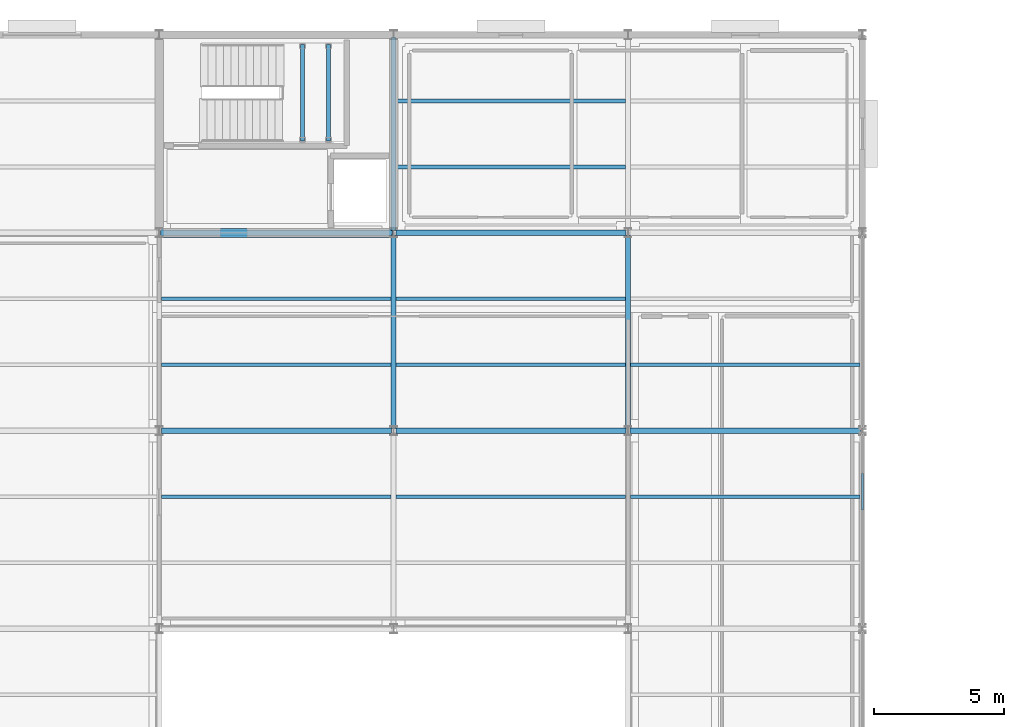
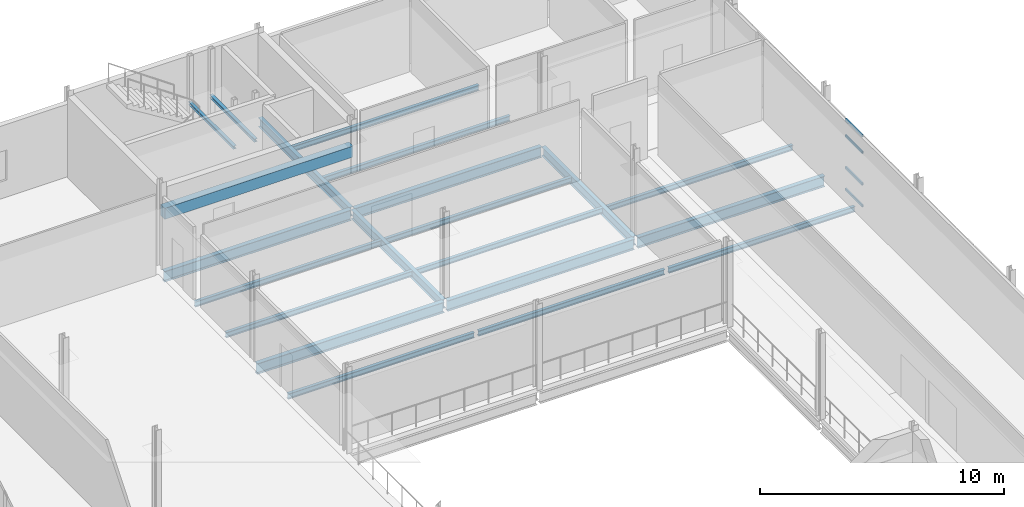
# One storey, part 124 of 174: 21 beams, 4 members, 1 element without a shape of its own.
"""IFC4 building model written with IfcOpenShell, lengths in metres."""

from ifc_helpers import new_model, si_unit, direction, frame, origin, origin_2d, place, context, subcontext, project, spatial, rectangle, hollow_rectangle, i_section, extrude, material, material_profile, profile_set, type_object, element, aggregate, save


model = new_model("IFC4")

# Units and contexts
model_context = context("Model", 3, precision=1e-05, world=origin(), true_north=direction((0.0, 1.0)))
body_context = subcontext(model_context, "Body", "Model", "MODEL_VIEW")
ifc_project = project(units=[si_unit("LENGTHUNIT", "METRE"), si_unit("AREAUNIT", "SQUARE_METRE"), si_unit("VOLUMEUNIT", "CUBIC_METRE"), si_unit("PLANEANGLEUNIT", "RADIAN"), si_unit("MASSUNIT", "GRAM", prefix="KILO")], contexts=[model_context])

# Site, building, storey
site_placement = place(None, origin())
site = spatial("IfcSite", under=ifc_project, at=site_placement, CompositionType="ELEMENT")
building_placement = place(site_placement, origin())
building = spatial("IfcBuilding", under=site, at=building_placement, Name="Caisbarro Railhouse Central Library", CompositionType="ELEMENT")
storey_placement = place(building_placement, frame((0.0, 0.0, 5.0400390625)))
storey = spatial("IfcBuildingStorey", under=building, at=storey_placement, Name="L01", CompositionType="ELEMENT", Elevation=5.0400390625)

# Beams
ifc_material_1 = material(Name="Steel ASTM A572 Grade 50", Category="steel")
ifc_material_profile_1 = material_profile(ifc_material_1, i_section(OverallWidth=0.208984375, OverallDepth=0.532958984375, WebThickness=0.01025390625, FlangeThickness=0.015625, FilletRadius=0.02001953125, at=origin_2d()), Name="W530X92.0")
ifc_profile_set_1 = profile_set([ifc_material_profile_1], Name="Steel ASTM A572 Grade 50")
beam_type_1 = type_object("IfcBeamType", Name="BM-G06", PredefinedType="BEAM", material=ifc_profile_set_1)
for number, where, z_axis, x_axis, name in (
    (1, (126.080078125, 98.800048828125, -0.486572265625), (1.0, 0.0, 0.0), (0.0, 1.0, 0.0), "G06 beam L01 #920"),
    (2, (135.080078125, 98.800048828125, -0.486572265625), (1.0, 0.0, 0.0), (0.0, 1.0, 0.0), "G06 beam L01 #921"),
    (3, (144.080078125, 98.800048828125, -0.486572265625), (1.0, 0.0, 0.0), (0.0, 1.0, 0.0), "G06 beam L01 #922"),
    (4, (126.080078125, 106.39990234375, -0.486572265625), (1.0, 0.0, 0.0), (0.0, 1.0, 0.0), "G06 beam L01 #924"),
    (5, (135.080078125, 106.39990234375, -0.486572265625), (1.0, 0.0, 0.0), (0.0, 1.0, 0.0), "G06 beam L01 #925"),
):
    element("IfcBeam", number, at=place(storey_placement, frame(where, z_axis=z_axis, x_axis=x_axis)), inside=storey, type_object=beam_type_1, Name=name, PredefinedType="BEAM", context=body_context, shape_type="SweptSolid", body=[
        extrude(i_section(OverallWidth=0.208984375, OverallDepth=0.532958984375, WebThickness=0.01025390625, FlangeThickness=0.015625, FilletRadius=0.02001953125, at=origin_2d()), origin(), (0.0, 0.0, 1.0), 8.83984375),
    ])
ifc_material_profile_2 = material_profile(ifc_material_1, i_section(OverallWidth=0.18994140625, OverallDepth=0.45703125, WebThickness=0.009033203125, FlangeThickness=0.014404296875, FilletRadius=0.01806640625, at=origin_2d()), Name="W460X74.0")
ifc_profile_set_2 = profile_set([ifc_material_profile_2], Name="Steel ASTM A572 Grade 50")
beam_type_2 = type_object("IfcBeamType", Name="BM-G08", PredefinedType="BEAM", material=ifc_profile_set_2)
beam_1_placement = place(storey_placement, frame((135.0, 98.8798828125, -0.448486328125), z_axis=(0.0, 1.0, 0.0), x_axis=(-1.0, 0.0, 0.0)))
element("IfcBeam", 6, at=beam_1_placement, inside=storey, type_object=beam_type_2, Name="G08 beam L01 #948", PredefinedType="BEAM", context=body_context, shape_type="SweptSolid", body=[
    extrude(i_section(OverallWidth=0.18994140625, OverallDepth=0.45703125, WebThickness=0.009033203125, FlangeThickness=0.014404296875, FilletRadius=0.01806640625, at=origin_2d()), origin(), (0.0, 0.0, 1.0), 7.440185546875),
])
beam_2_placement = place(storey_placement, frame((135.0, 106.47998046875, -0.448486328125), z_axis=(0.0, 1.0, 0.0), x_axis=(-1.0, 0.0, 0.0)))
element("IfcBeam", 7, at=beam_2_placement, inside=storey, type_object=beam_type_2, Name="G08 beam L01 #949", PredefinedType="BEAM", context=body_context, shape_type="SweptSolid", body=[
    extrude(i_section(OverallWidth=0.18994140625, OverallDepth=0.45703125, WebThickness=0.009033203125, FlangeThickness=0.014404296875, FilletRadius=0.01806640625, at=origin_2d()), origin(), (0.0, 0.0, 1.0), 7.43994140625),
])
beam_3_placement = place(storey_placement, frame((144.0, 98.8798828125, -0.448486328125), z_axis=(0.0, 1.0, 0.0), x_axis=(-1.0, 0.0, 0.0)))
element("IfcBeam", 8, at=beam_3_placement, inside=storey, type_object=beam_type_2, Name="G08 beam L01 #955", PredefinedType="BEAM", context=body_context, shape_type="SweptSolid", body=[
    extrude(i_section(OverallWidth=0.18994140625, OverallDepth=0.45703125, WebThickness=0.009033203125, FlangeThickness=0.014404296875, FilletRadius=0.01806640625, at=origin_2d()), origin(), (0.0, 0.0, 1.0), 7.440185546875),
])
ifc_material_profile_3 = material_profile(ifc_material_1, i_section(OverallWidth=0.14794921875, OverallDepth=0.26611328125, WebThickness=0.007568359375, FlangeThickness=0.012939453125, FilletRadius=0.010009765625, at=origin_2d()), Name="W250X44.8")
ifc_profile_set_3 = profile_set([ifc_material_profile_3], Name="Steel ASTM A572 Grade 50")
beam_type_3 = type_object("IfcBeamType", Name="BM-J04", PredefinedType="JOIST", material=ifc_profile_set_3)
for number, where, z_axis, x_axis, name in (
    (9, (126.094970703125, 96.2666015625, -0.35302734375), (1.0, 0.0, 0.0), (0.0, 1.0, 0.0), "J04 beam L01 #983"),
    (10, (126.094970703125, 101.333251953125, -0.35302734375), (1.0, 0.0, 0.0), (0.0, 1.0, 0.0), "J04 beam L01 #984"),
    (11, (126.094970703125, 103.86669921875, -0.35302734375), (1.0, 0.0, 0.0), (0.0, 1.0, 0.0), "J04 beam L01 #985"),
    (12, (135.094970703125, 96.2666015625, -0.35302734375), (1.0, 0.0, 0.0), (0.0, 1.0, 0.0), "J04 beam L01 #989"),
    (13, (135.094970703125, 101.333251953125, -0.35302734375), (1.0, 0.0, 0.0), (0.0, 1.0, 0.0), "J04 beam L01 #990"),
    (14, (135.094970703125, 103.86669921875, -0.35302734375), (1.0, 0.0, 0.0), (0.0, 1.0, 0.0), "J04 beam L01 #991"),
    (15, (135.094970703125, 108.933349609375, -0.35302734375), (1.0, 0.0, 0.0), (0.0, 1.0, 0.0), "J04 beam L01 #992"),
    (16, (135.094970703125, 111.466796875, -0.35302734375), (1.0, 0.0, 0.0), (0.0, 1.0, 0.0), "J04 beam L01 #993"),
):
    element("IfcBeam", number, at=place(storey_placement, frame(where, z_axis=z_axis, x_axis=x_axis)), inside=storey, type_object=beam_type_3, Name=name, PredefinedType="JOIST", context=body_context, shape_type="SweptSolid", body=[
        extrude(i_section(OverallWidth=0.14794921875, OverallDepth=0.26611328125, WebThickness=0.007568359375, FlangeThickness=0.012939453125, FilletRadius=0.010009765625, at=origin_2d()), origin(), (0.0, 0.0, 1.0), 8.81005859375),
    ])
for number, where, z_axis, x_axis, name in (
    (17, (144.094970703125, 96.2666015625, -0.35302734375), (1.0, 0.0, 0.0), (0.0, 1.0, 0.0), "J04 beam L01 #1003"),
    (18, (144.094970703125, 101.333251953125, -0.35302734375), (1.0, 0.0, 0.0), (0.0, 1.0, 0.0), "J04 beam L01 #1004"),
):
    element("IfcBeam", number, at=place(storey_placement, frame(where, z_axis=z_axis, x_axis=x_axis)), inside=storey, type_object=beam_type_3, Name=name, PredefinedType="JOIST", context=body_context, shape_type="SweptSolid", body=[
        extrude(i_section(OverallWidth=0.14794921875, OverallDepth=0.26611328125, WebThickness=0.007568359375, FlangeThickness=0.012939453125, FilletRadius=0.010009765625, at=origin_2d()), origin(), (0.0, 0.0, 1.0), 8.804931640625),
    ])
ifc_material_2 = material(Name="Concrete C40", Category="concrete")
ifc_material_profile_4 = material_profile(ifc_material_2, rectangle(XDim=0.35009765625, YDim=0.550048828125, at=origin_2d()), Name="RC-LIN-350X550")
ifc_profile_set_4 = profile_set([ifc_material_profile_4], Name="Concrete C40")
beam_type_4 = type_object("IfcBeamType", Name="BM-LN01", PredefinedType="LINTEL", material=ifc_profile_set_4)
beam_4_placement = place(storey_placement, frame((126.050048828125, 106.39990234375, 2.724853515625), z_axis=(1.0, 0.0, 0.0), x_axis=(0.0, 1.0, 0.0)))
element("IfcBeam", 19, at=beam_4_placement, inside=storey, type_object=beam_type_4, Name="LN01 RC core coupling lintel K3 L01", PredefinedType="LINTEL", context=body_context, shape_type="SweptSolid", body=[
    extrude(rectangle(XDim=0.35009765625, YDim=0.550048828125, at=origin_2d()), origin(), (0.0, 0.0, 1.0), 8.89990234375),
])
ifc_material_profile_5 = material_profile(ifc_material_1, i_section(OverallWidth=0.152099609375, OverallDepth=0.152099609375, WebThickness=0.005859375, FlangeThickness=0.006591796875, FilletRadius=0.008056640625, at=origin_2d()), Name="W150X22.5")
ifc_profile_set_5 = profile_set([ifc_material_profile_5], Name="Steel ASTM A572 Grade 50")
beam_type_5 = type_object("IfcBeamType", Name="BM-SL01", PredefinedType="BEAM", material=ifc_profile_set_5)
for number, where, z_axis, x_axis, name in (
    (20, (131.5, 109.929931640625, 1.89404296875), (0.0, 1.0, 0.0), (-1.0, 0.0, 0.0), "SL01 Stair Landing Support Beam K3 L01 W"),
    (21, (132.5, 109.929931640625, 1.89404296875), (0.0, 1.0, 0.0), (-1.0, 0.0, 0.0), "SL01 Stair Landing Support Beam K3 L01 E"),
):
    element("IfcBeam", number, at=place(storey_placement, frame(where, z_axis=z_axis, x_axis=x_axis)), inside=storey, type_object=beam_type_5, Name=name, PredefinedType="BEAM", context=body_context, shape_type="SweptSolid", body=[
        extrude(i_section(OverallWidth=0.152099609375, OverallDepth=0.152099609375, WebThickness=0.005859375, FlangeThickness=0.006591796875, FilletRadius=0.008056640625, at=origin_2d()), origin(), (0.0, 0.0, 1.0), 3.690185546875),
    ])

# Curtain wall, members
ifc_material_3 = material(Name="Anodised architectural aluminium", Category="aluminium")
curtain_wall_type = type_object("IfcCurtainWallType", Name="CW-CW03", PredefinedType="NOTDEFINED", material=ifc_material_3)
curtain_wall_placement = place(storey_placement, origin())
curtain_wall = element("IfcCurtainWall", 22, at=curtain_wall_placement, inside=storey, type_object=curtain_wall_type, Name="CW03 curtain wall L01 #124", PredefinedType="NOTDEFINED")
ifc_material_profile_6 = material_profile(ifc_material_3, hollow_rectangle(XDim=0.06494140625, YDim=0.1201171875, WallThickness=0.00341796875, at=origin_2d()), Name="ALU-TRN-65X120")
ifc_profile_set_6 = profile_set([ifc_material_profile_6], Name="Anodised architectural aluminium")
member_type = type_object("IfcMemberType", Name="CWT-T02", PredefinedType="USERDEFINED", material=ifc_profile_set_6)
member_1_placement = place(storey_placement, frame((153.0, 95.760498046875, 0.032470703125), z_axis=(0.0, 1.0, 0.0), x_axis=(-1.0, 0.0, 0.0)))
member_1 = element("IfcMember", 23, at=member_1_placement, type_object=member_type, Name="CW03 transom 4.1", ObjectType="TRANSOM", PredefinedType="USERDEFINED", context=body_context, shape_type="SweptSolid", body=[
    extrude(hollow_rectangle(XDim=0.06494140625, YDim=0.1201171875, WallThickness=0.00341796875, at=origin_2d()), origin(), (0.0, 0.0, 1.0), 1.39111328125),
])
member_2_placement = place(storey_placement, frame((153.0, 95.760498046875, 1.119873046875), z_axis=(0.0, 1.0, 0.0), x_axis=(-1.0, 0.0, 0.0)))
member_2 = element("IfcMember", 24, at=member_2_placement, type_object=member_type, Name="CW03 transom 4.2", ObjectType="TRANSOM", PredefinedType="USERDEFINED", context=body_context, shape_type="SweptSolid", body=[
    extrude(hollow_rectangle(XDim=0.06494140625, YDim=0.1201171875, WallThickness=0.00341796875, at=origin_2d()), origin(), (0.0, 0.0, 1.0), 1.39111328125),
])
member_3_placement = place(storey_placement, frame((153.0, 95.760498046875, 2.7099609375), z_axis=(0.0, 1.0, 0.0), x_axis=(-1.0, 0.0, 0.0)))
member_3 = element("IfcMember", 25, at=member_3_placement, type_object=member_type, Name="CW03 transom 4.3", ObjectType="TRANSOM", PredefinedType="USERDEFINED", context=body_context, shape_type="SweptSolid", body=[
    extrude(hollow_rectangle(XDim=0.06494140625, YDim=0.1201171875, WallThickness=0.00341796875, at=origin_2d()), origin(), (0.0, 0.0, 1.0), 1.39111328125),
])
member_4_placement = place(storey_placement, frame((153.0, 95.760498046875, 3.52734375), z_axis=(0.0, 1.0, 0.0), x_axis=(-1.0, 0.0, 0.0)))
member_4 = element("IfcMember", 26, at=member_4_placement, type_object=member_type, Name="CW03 transom 4.4", ObjectType="TRANSOM", PredefinedType="USERDEFINED", context=body_context, shape_type="SweptSolid", body=[
    extrude(hollow_rectangle(XDim=0.06494140625, YDim=0.1201171875, WallThickness=0.00341796875, at=origin_2d()), origin(), (0.0, 0.0, 1.0), 1.39111328125),
])
aggregate(curtain_wall, [member_1, member_2, member_3, member_4])

save(model, "model.ifc")
